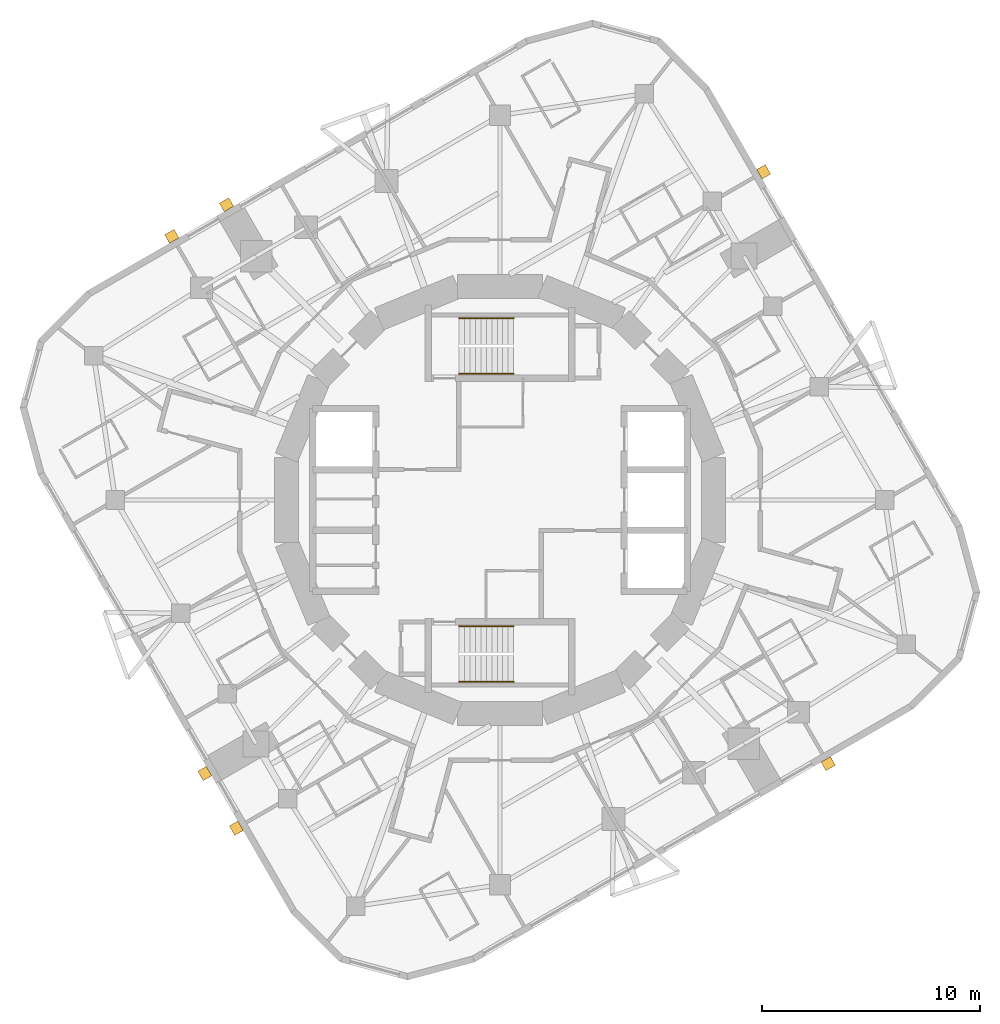
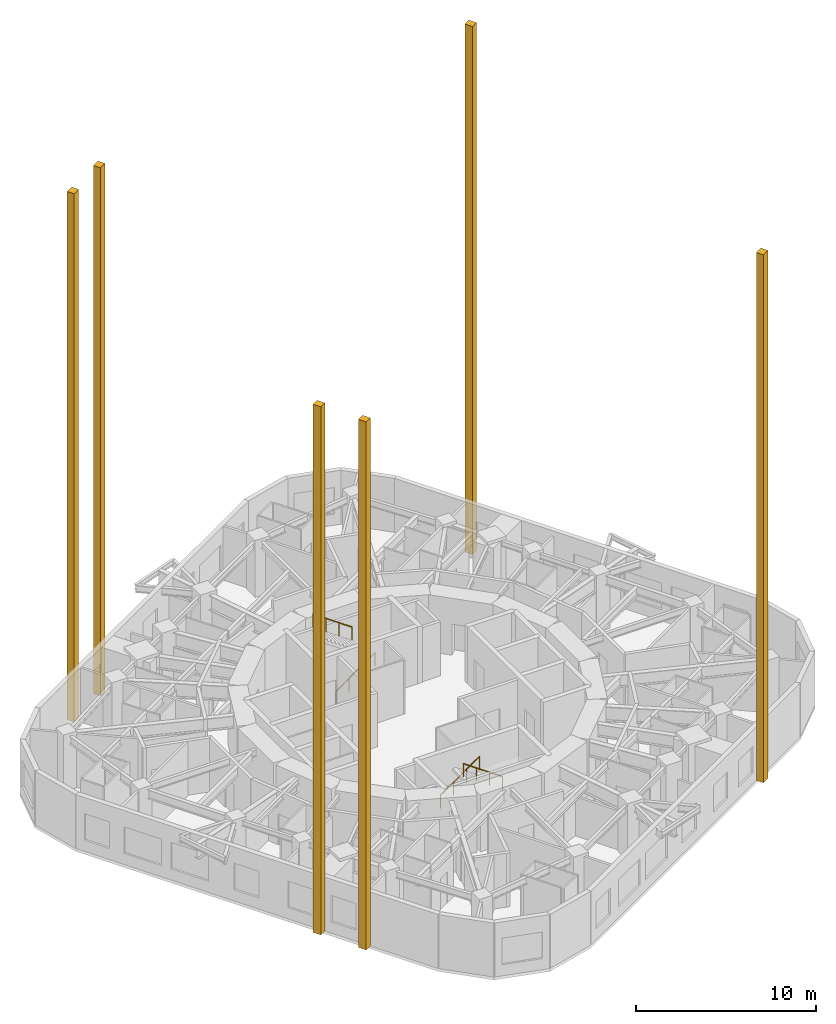
# One storey, part 10 of 10: 6 coverings, 4 railings.
"""IFC4 building model written with IfcOpenShell, lengths in metres."""

from ifc_helpers import new_model, si_unit, direction, frame, origin, origin_2d, place, context, subcontext, project, spatial, rectangle, circle, extrude, material, layer, layer_set, type_object, element, save


model = new_model("IFC4")

# Units and contexts
model_context = context("Model", 3, precision=1e-05, world=origin(), true_north=direction((0.0, 1.0)))
body_context = subcontext(model_context, "Body", "Model", "MODEL_VIEW")
ifc_project = project(units=[si_unit("LENGTHUNIT", "METRE"), si_unit("AREAUNIT", "SQUARE_METRE"), si_unit("VOLUMEUNIT", "CUBIC_METRE"), si_unit("PLANEANGLEUNIT", "RADIAN"), si_unit("MASSUNIT", "GRAM", prefix="KILO")], contexts=[model_context])

# Site, building, storey
site_placement = place(None, origin())
site = spatial("IfcSite", under=ifc_project, at=site_placement, CompositionType="ELEMENT")
building_placement = place(site_placement, origin())
building = spatial("IfcBuilding", under=site, at=building_placement, Name="Nakasero Lantern House", CompositionType="ELEMENT")
storey_placement = place(building_placement, frame((0.0, 0.0, 223.10009765625)))
storey = spatial("IfcBuildingStorey", under=building, at=storey_placement, Name="L54", CompositionType="ELEMENT", Elevation=223.10009765625)

# Coverings
ifc_material_1 = material(Name="Concrete C40/50 precast", Category="concrete")
ifc_layer = layer(ifc_material_1, 0.449951171875)
ifc_layer_set = layer_set([ifc_layer], Name="Buttress pier 500x450")
covering_type = type_object("IfcCoveringType", Name="Buttress pier 500x450", PredefinedType="CLADDING", material=ifc_layer_set)
for number, where, z_axis, x_axis, name in (
    (1, (12.1103515625, 15.07421875, 0.0), (0.0, 0.0, 1.0), (0.866025403784, 0.5, 0.0), "Buttress pier B6 0-00"),
    (2, (-12.562744140625, 13.560302734375, 0.0), (0.0, 0.0, 1.0), (-0.5, 0.866025403784, 0.0), "Buttress pier B6 1-00"),
    (3, (-15.07421875, 12.1103515625, 0.0), (0.0, 0.0, 1.0), (-0.5, 0.866025403784, 0.0), "Buttress pier B6 1-01"),
    (4, (-13.560302734375, -12.562744140625, 0.0), (0.0, 0.0, 1.0), (-0.866025403784, -0.5, 0.0), "Buttress pier B6 2-00"),
    (5, (-12.1103515625, -15.07421875, 0.0), (0.0, 0.0, 1.0), (-0.866025403784, -0.5, 0.0), "Buttress pier B6 2-01"),
    (6, (15.07421875, -12.1103515625, 0.0), (0.0, 0.0, 1.0), (0.5, -0.866025403784, 0.0), "Buttress pier B6 3-00"),
):
    element("IfcCovering", number, at=place(storey_placement, frame(where, z_axis=z_axis, x_axis=x_axis)), inside=storey, type_object=covering_type, Name=name, PredefinedType="CLADDING", context=body_context, shape_type="SweptSolid", body=[
        extrude(rectangle(XDim=0.449951171875, YDim=0.5, at=origin_2d()), origin(), (0.0, 0.0, 1.0), 35.75),
    ])

# Railings
ifc_material_2 = material(Name="Stainless steel 316", Category="steel")
railing_type = type_object("IfcRailingType", Name="Stair handrail 900", PredefinedType="HANDRAIL", material=ifc_material_2)
railing_1_placement = place(storey_placement, frame((-1.875, 5.800048828125, 0.1748046875)))
element("IfcRailing", 7, at=railing_1_placement, inside=storey, type_object=railing_type, Name="Handrail ST1 L54 flight 1", PredefinedType="HANDRAIL", context=body_context, shape_type="SweptSolid", body=[
    extrude(circle(Radius=0.02392578125, at=origin_2d()), frame((0.0, 0.0, 0.8759765625), z_axis=(0.819231920519, 0.0, 0.573462344363), x_axis=(0.0, 1.0, 0.0)), (0.0, 0.0, 1.0), 3.0517578125),
    extrude(circle(Radius=0.02099609375, at=origin_2d()), origin(), (0.0, 0.0, 1.0), 0.851806640625),
    extrude(circle(Radius=0.02099609375, at=origin_2d()), frame((0.833251953125, 0.0, 0.583251953125)), (0.0, 0.0, 1.0), 0.851806640625),
    extrude(circle(Radius=0.02099609375, at=origin_2d()), frame((1.666748046875, 0.0, 1.166748046875)), (0.0, 0.0, 1.0), 0.851806640625),
    extrude(circle(Radius=0.02099609375, at=origin_2d()), frame((2.5, 0.0, 1.75)), (0.0, 0.0, 1.0), 0.851806640625),
])
railing_2_placement = place(storey_placement, frame((0.625, 8.35009765625, 2.099853515625)))
element("IfcRailing", 8, at=railing_2_placement, inside=storey, type_object=railing_type, Name="Handrail ST1 L54 flight 2", PredefinedType="HANDRAIL", context=body_context, shape_type="SweptSolid", body=[
    extrude(circle(Radius=0.02392578125, at=origin_2d()), frame((0.0, 0.0, 0.8759765625), z_axis=(-0.819231920519, 0.0, 0.573462344363), x_axis=(0.0, -1.0, 0.0)), (0.0, 0.0, 1.0), 3.0517578125),
    extrude(circle(Radius=0.02099609375, at=origin_2d()), origin(), (0.0, 0.0, 1.0), 0.851806640625),
    extrude(circle(Radius=0.02099609375, at=origin_2d()), frame((-0.833251953125, 0.0, 0.583251953125)), (0.0, 0.0, 1.0), 0.851806640625),
    extrude(circle(Radius=0.02099609375, at=origin_2d()), frame((-1.666748046875, 0.0, 1.166748046875)), (0.0, 0.0, 1.0), 0.851806640625),
    extrude(circle(Radius=0.02099609375, at=origin_2d()), frame((-2.5, 0.0, 1.75)), (0.0, 0.0, 1.0), 0.851806640625),
])
railing_3_placement = place(storey_placement, frame((-1.875, -5.800048828125, 0.1748046875)))
element("IfcRailing", 9, at=railing_3_placement, inside=storey, type_object=railing_type, Name="Handrail ST2 L54 flight 1", PredefinedType="HANDRAIL", context=body_context, shape_type="SweptSolid", body=[
    extrude(circle(Radius=0.02392578125, at=origin_2d()), frame((0.0, 0.0, 0.8759765625), z_axis=(0.819231920519, 0.0, 0.573462344363), x_axis=(0.0, 1.0, 0.0)), (0.0, 0.0, 1.0), 3.0517578125),
    extrude(circle(Radius=0.02099609375, at=origin_2d()), origin(), (0.0, 0.0, 1.0), 0.851806640625),
    extrude(circle(Radius=0.02099609375, at=origin_2d()), frame((0.833251953125, 0.0, 0.583251953125)), (0.0, 0.0, 1.0), 0.851806640625),
    extrude(circle(Radius=0.02099609375, at=origin_2d()), frame((1.666748046875, 0.0, 1.166748046875)), (0.0, 0.0, 1.0), 0.851806640625),
    extrude(circle(Radius=0.02099609375, at=origin_2d()), frame((2.5, 0.0, 1.75)), (0.0, 0.0, 1.0), 0.851806640625),
])
railing_4_placement = place(storey_placement, frame((0.625, -8.35009765625, 2.099853515625)))
element("IfcRailing", 10, at=railing_4_placement, inside=storey, type_object=railing_type, Name="Handrail ST2 L54 flight 2", PredefinedType="HANDRAIL", context=body_context, shape_type="SweptSolid", body=[
    extrude(circle(Radius=0.02392578125, at=origin_2d()), frame((0.0, 0.0, 0.8759765625), z_axis=(-0.819231920519, 0.0, 0.573462344363), x_axis=(0.0, -1.0, 0.0)), (0.0, 0.0, 1.0), 3.0517578125),
    extrude(circle(Radius=0.02099609375, at=origin_2d()), origin(), (0.0, 0.0, 1.0), 0.851806640625),
    extrude(circle(Radius=0.02099609375, at=origin_2d()), frame((-0.833251953125, 0.0, 0.583251953125)), (0.0, 0.0, 1.0), 0.851806640625),
    extrude(circle(Radius=0.02099609375, at=origin_2d()), frame((-1.666748046875, 0.0, 1.166748046875)), (0.0, 0.0, 1.0), 0.851806640625),
    extrude(circle(Radius=0.02099609375, at=origin_2d()), frame((-2.5, 0.0, 1.75)), (0.0, 0.0, 1.0), 0.851806640625),
])

save(model, "model.ifc")
